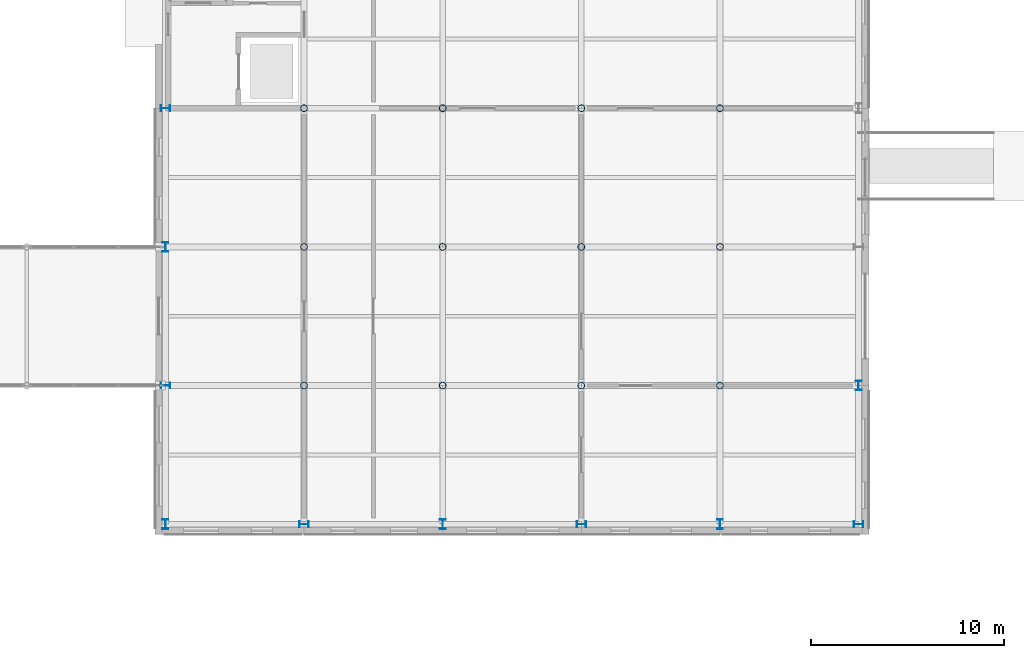
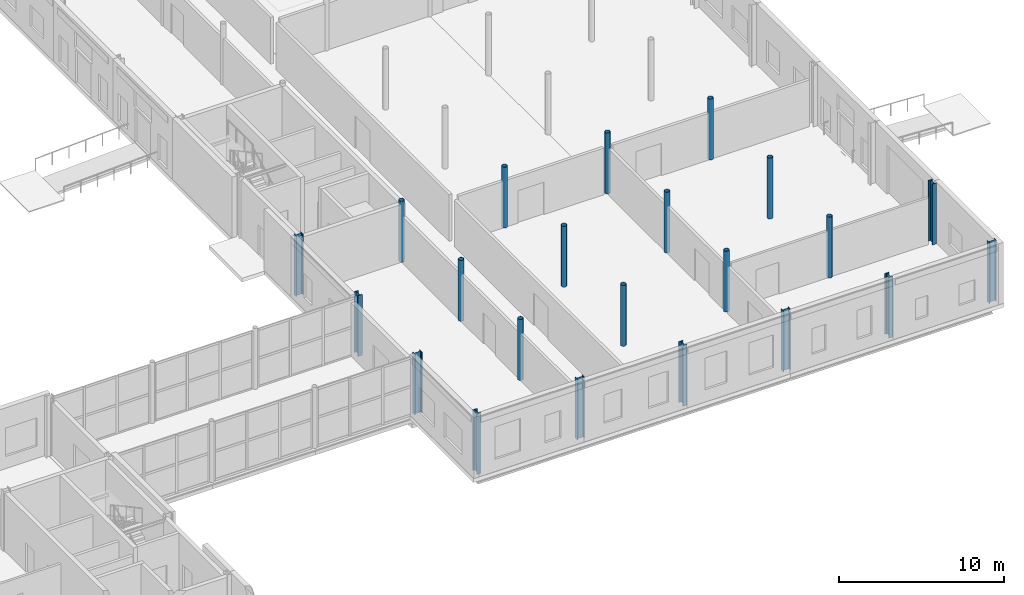
# One storey, part 16 of 92: 22 columns.
"""IFC4 building model written with IfcOpenShell, lengths in metres."""

from ifc_helpers import new_model, si_unit, direction, frame, origin, origin_2d, place, context, subcontext, project, spatial, hollow_circle, i_section, extrude, material, material_profile, profile_set, type_object, element, save


model = new_model("IFC4")

# Units and contexts
model_context = context("Model", 3, precision=1e-05, world=origin(), true_north=direction((0.0, 1.0)))
body_context = subcontext(model_context, "Body", "Model", "MODEL_VIEW")
ifc_project = project(units=[si_unit("LENGTHUNIT", "METRE"), si_unit("AREAUNIT", "SQUARE_METRE"), si_unit("VOLUMEUNIT", "CUBIC_METRE"), si_unit("PLANEANGLEUNIT", "RADIAN"), si_unit("MASSUNIT", "GRAM", prefix="KILO")], contexts=[model_context])

# Site, building, storey
site_placement = place(None, origin())
site = spatial("IfcSite", under=ifc_project, at=site_placement, CompositionType="ELEMENT")
building_placement = place(site_placement, origin())
building = spatial("IfcBuilding", under=site, at=building_placement, Name="Zlatovets Crest Museum", CompositionType="ELEMENT")
storey_placement = place(building_placement, origin())
storey = spatial("IfcBuildingStorey", under=building, at=storey_placement, Name="L00", CompositionType="ELEMENT", Elevation=0.0)

# Columns
ifc_material = material(Name="Structural steel S355J2", Category="steel")
ifc_material_profile_1 = material_profile(ifc_material, i_section(OverallWidth=0.300048828125, OverallDepth=0.5, WebThickness=0.014404296875, FlangeThickness=0.028076171875, FilletRadius=0.027099609375, at=origin_2d()), Name="HEB 500")
ifc_profile_set_1 = profile_set([ifc_material_profile_1], Name="Structural steel S355J2")
column_type_1 = type_object("IfcColumnType", Name="Col_C-05", PredefinedType="COLUMN", material=ifc_profile_set_1)
for number, where, z_axis, x_axis, name in (
    (1, (129.60009765625, 14.39990234375, 0.0), (0.0, 0.0, 1.0), (1.0, 0.0, 0.0), "V5 L00 Column (129.6, 14.4)"),
    (2, (129.60009765625, 21.60009765625, 0.0), (0.0, 0.0, 1.0), (0.0, 1.0, 0.0), "V5 L00 Column (129.6, 21.6)"),
    (3, (129.60009765625, 28.800048828125, 0.0), (0.0, 0.0, 1.0), (1.0, 0.0, 0.0), "V5 L00 Column (129.6, 28.8)"),
    (4, (129.60009765625, 36.0, 0.0), (0.0, 0.0, 1.0), (0.0, 1.0, 0.0), "V5 L00 Column (129.6, 36.0)"),
    (5, (136.800048828125, 14.39990234375, 0.0), (0.0, 0.0, 1.0), (0.0, 1.0, 0.0), "V5 L00 Column (136.8, 14.4)"),
    (6, (144.0, 14.39990234375, 0.0), (0.0, 0.0, 1.0), (1.0, 0.0, 0.0), "V5 L00 Column (144.0, 14.4)"),
    (7, (151.199951171875, 14.39990234375, 0.0), (0.0, 0.0, 1.0), (0.0, 1.0, 0.0), "V5 L00 Column (151.2, 14.4)"),
    (8, (158.39990234375, 14.39990234375, 0.0), (0.0, 0.0, 1.0), (1.0, 0.0, 0.0), "V5 L00 Column (158.4, 14.4)"),
    (9, (165.60009765625, 14.39990234375, 0.0), (0.0, 0.0, 1.0), (0.0, 1.0, 0.0), "V5 L00 Column (165.6, 14.4)"),
    (10, (165.60009765625, 21.60009765625, 0.0), (0.0, 0.0, 1.0), (1.0, 0.0, 0.0), "V5 L00 Column (165.6, 21.6)"),
):
    element("IfcColumn", number, at=place(storey_placement, frame(where, z_axis=z_axis, x_axis=x_axis)), inside=storey, type_object=column_type_1, Name=name, PredefinedType="COLUMN", context=body_context, shape_type="SweptSolid", body=[
        extrude(i_section(OverallWidth=0.300048828125, OverallDepth=0.5, WebThickness=0.014404296875, FlangeThickness=0.028076171875, FilletRadius=0.027099609375, at=origin_2d()), origin(), (0.0, 0.0, 1.0), 4.5),
    ])
ifc_material_profile_2 = material_profile(ifc_material, hollow_circle(Radius=0.177734375, WallThickness=0.01416015625, at=origin_2d()), Name="CHS 355.6x14.2")
ifc_profile_set_2 = profile_set([ifc_material_profile_2], Name="Structural steel S355J2")
column_type_2 = type_object("IfcColumnType", Name="Col_C-20", PredefinedType="COLUMN", material=ifc_profile_set_2)
for number, where, z_axis, x_axis, name in (
    (11, (136.800048828125, 21.60009765625, 0.0), (0.0, 0.0, 1.0), (1.0, 0.0, 0.0), "V5 L00 Column (136.8, 21.6)"),
    (12, (136.800048828125, 28.800048828125, 0.0), (0.0, 0.0, 1.0), (0.0, 1.0, 0.0), "V5 L00 Column (136.8, 28.8)"),
    (13, (136.800048828125, 36.0, 0.0), (0.0, 0.0, 1.0), (1.0, 0.0, 0.0), "V5 L00 Column (136.8, 36.0)"),
    (14, (144.0, 21.60009765625, 0.0), (0.0, 0.0, 1.0), (0.0, 1.0, 0.0), "V5 L00 Column (144.0, 21.6)"),
    (15, (144.0, 28.800048828125, 0.0), (0.0, 0.0, 1.0), (1.0, 0.0, 0.0), "V5 L00 Column (144.0, 28.8)"),
    (16, (144.0, 36.0, 0.0), (0.0, 0.0, 1.0), (0.0, 1.0, 0.0), "V5 L00 Column (144.0, 36.0)"),
    (17, (151.199951171875, 21.60009765625, 0.0), (0.0, 0.0, 1.0), (1.0, 0.0, 0.0), "V5 L00 Column (151.2, 21.6)"),
    (18, (151.199951171875, 28.800048828125, 0.0), (0.0, 0.0, 1.0), (0.0, 1.0, 0.0), "V5 L00 Column (151.2, 28.8)"),
    (19, (151.199951171875, 36.0, 0.0), (0.0, 0.0, 1.0), (1.0, 0.0, 0.0), "V5 L00 Column (151.2, 36.0)"),
    (20, (158.39990234375, 21.60009765625, 0.0), (0.0, 0.0, 1.0), (0.0, 1.0, 0.0), "V5 L00 Column (158.4, 21.6)"),
    (21, (158.39990234375, 28.800048828125, 0.0), (0.0, 0.0, 1.0), (1.0, 0.0, 0.0), "V5 L00 Column (158.4, 28.8)"),
    (22, (158.39990234375, 36.0, 0.0), (0.0, 0.0, 1.0), (0.0, 1.0, 0.0), "V5 L00 Column (158.4, 36.0)"),
):
    element("IfcColumn", number, at=place(storey_placement, frame(where, z_axis=z_axis, x_axis=x_axis)), inside=storey, type_object=column_type_2, Name=name, PredefinedType="COLUMN", context=body_context, shape_type="SweptSolid", body=[
        extrude(hollow_circle(Radius=0.177734375, WallThickness=0.01416015625, at=origin_2d()), origin(), (0.0, 0.0, 1.0), 4.5),
    ])

save(model, "model.ifc")
